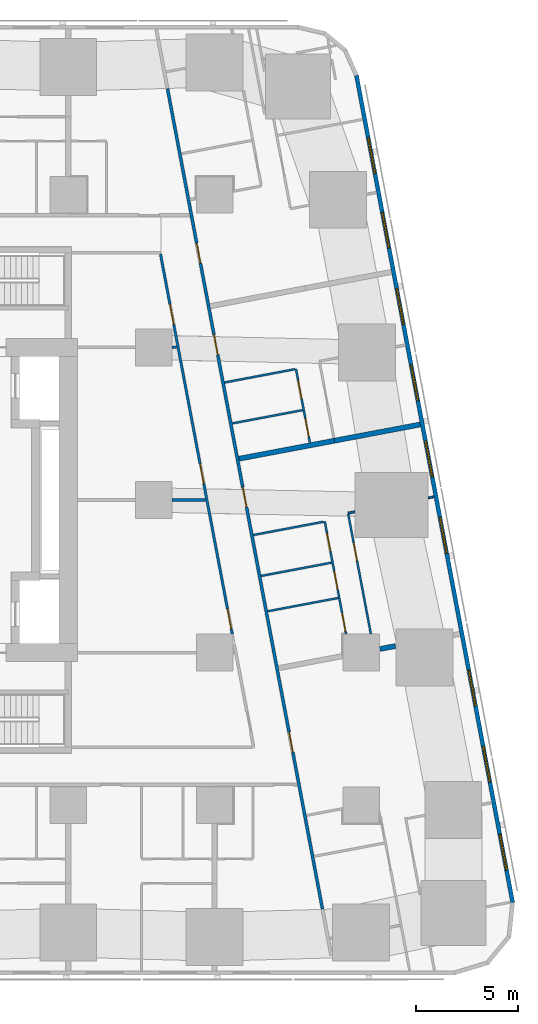
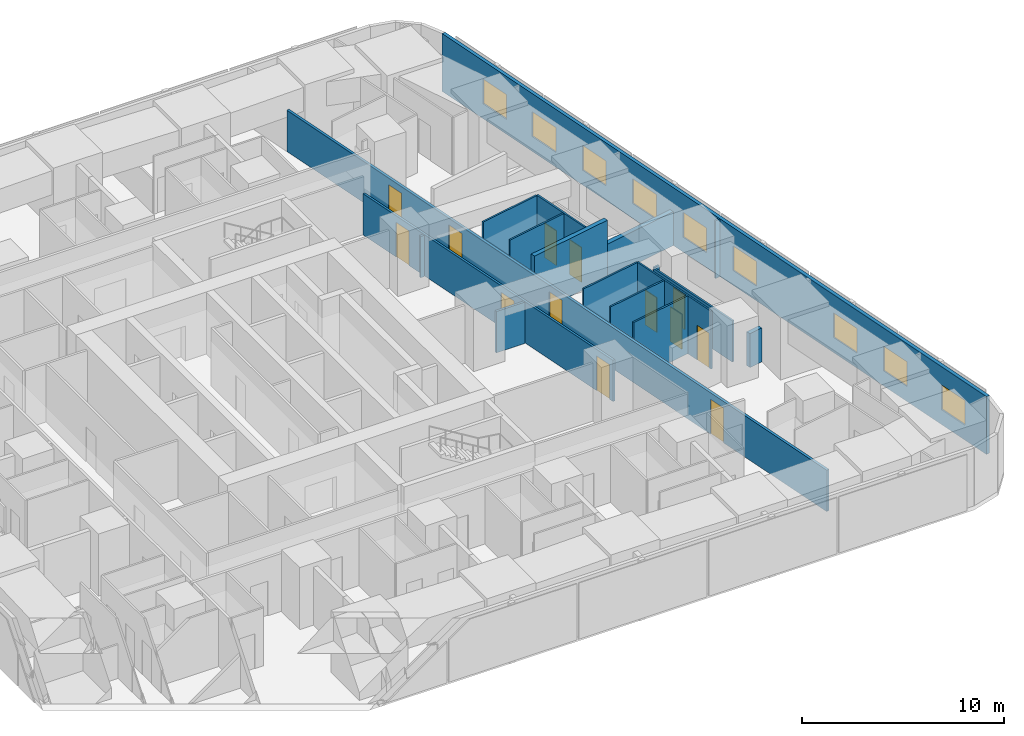
# One storey, part 7 of 15: 18 walls, 13 doors, 9 windows, 22 openings.
"""IFC4 building model written with IfcOpenShell, lengths in metres."""

from ifc_helpers import new_model, si_unit, direction, frame, frame_2d, origin, place, context, subcontext, project, spatial, rectangle, extrude, material, layer, layer_set, type_object, element, fill, save


model = new_model("IFC4")

# Units and contexts
model_context = context("Model", 3, precision=1e-05, world=origin(), true_north=direction((0.0, 1.0)))
body_context = subcontext(model_context, "Body", "Model", "MODEL_VIEW")
ifc_project = project(units=[si_unit("LENGTHUNIT", "METRE"), si_unit("AREAUNIT", "SQUARE_METRE"), si_unit("VOLUMEUNIT", "CUBIC_METRE"), si_unit("PLANEANGLEUNIT", "RADIAN"), si_unit("MASSUNIT", "GRAM", prefix="KILO")], contexts=[model_context])

# Site, building, storey
site_placement = place(None, origin())
site = spatial("IfcSite", under=ifc_project, at=site_placement, CompositionType="ELEMENT")
building_placement = place(site_placement, origin())
building = spatial("IfcBuilding", under=site, at=building_placement, Name="Sheger Commons Tower", CompositionType="ELEMENT")
storey_placement = place(building_placement, frame((0.0, 0.0, 42.5)))
storey = spatial("IfcBuildingStorey", under=building, at=storey_placement, Name="L10", CompositionType="ELEMENT", Elevation=42.5)

# Wall, openings, doors
ifc_material_1 = material(Name="Hollow concrete block masonry, skimmed both sides", Category="masonry")
ifc_layer_1 = layer(ifc_material_1, 0.14990234375)
ifc_layer_set_1 = layer_set([ifc_layer_1], Name="CORRIDOR WALL 150")
wall_type_1 = type_object("IfcWallType", Name="CORRIDOR WALL 150", PredefinedType="SOLIDWALL", material=ifc_layer_set_1)
wall_1_placement = place(storey_placement, frame((33.679931640625, 42.722900390625, 0.0), z_axis=(0.0, 0.0, 1.0), x_axis=(0.185624129307, -0.98262082342, 0.0)))
wall_1 = element("IfcWall", 1, at=wall_1_placement, inside=storey, type_object=wall_type_1, Name="Corridor wall L10", PredefinedType="SOLIDWALL", context=body_context, shape_type="SweptSolid", body=[
    extrude(rectangle(XDim=41.05126953125, YDim=0.14990234375, at=frame_2d((20.525634765625, 0.0))), origin(), (0.0, 0.0, 1.0), 2.5),
])
opening_1_placement = place(wall_1_placement, frame((7.72998046875, 0.0, 0.0)))
opening_1 = element("IfcOpeningElement", 2, at=opening_1_placement, cuts=wall_1, Name="Opening D1", PredefinedType="OPENING", context=body_context, shape_type="SweptSolid", body=[
    extrude(rectangle(XDim=1.0, YDim=2.10009765625, at=frame_2d((0.5, 1.050048828125))), frame((0.0, 0.0849609375, 0.0), z_axis=(0.0, -1.0, 0.0), x_axis=(1.0, 0.0, 0.0)), (0.0, 0.0, 1.0), 0.169921875),
])
opening_2_placement = place(wall_1_placement, frame((12.306884765625, 0.0, 0.0)))
opening_2 = element("IfcOpeningElement", 3, at=opening_2_placement, cuts=wall_1, Name="Opening D1", PredefinedType="OPENING", context=body_context, shape_type="SweptSolid", body=[
    extrude(rectangle(XDim=1.0, YDim=2.10009765625, at=frame_2d((0.5, 1.050048828125))), frame((0.0, 0.0849609375, 0.0), z_axis=(0.0, -1.0, 0.0), x_axis=(1.0, 0.0, 0.0)), (0.0, 0.0, 1.0), 0.169921875),
])
opening_3_placement = place(wall_1_placement, frame((19.93798828125, 0.0, 0.0)))
opening_3 = element("IfcOpeningElement", 4, at=opening_3_placement, cuts=wall_1, Name="Opening D1", PredefinedType="OPENING", context=body_context, shape_type="SweptSolid", body=[
    extrude(rectangle(XDim=1.0, YDim=2.10009765625, at=frame_2d((0.5, 1.050048828125))), frame((0.0, 0.0849609375, 0.0), z_axis=(0.0, -1.0, 0.0), x_axis=(1.0, 0.0, 0.0)), (0.0, 0.0, 1.0), 0.169921875),
])
opening_4_placement = place(wall_1_placement, frame((32.193115234375, 0.0, 0.0)))
opening_4 = element("IfcOpeningElement", 5, at=opening_4_placement, cuts=wall_1, Name="Opening D1", PredefinedType="OPENING", context=body_context, shape_type="SweptSolid", body=[
    extrude(rectangle(XDim=1.0, YDim=2.10009765625, at=frame_2d((0.5, 1.050048828125))), frame((0.0, 0.0849609375, 0.0), z_axis=(0.0, -1.0, 0.0), x_axis=(1.0, 0.0, 0.0)), (0.0, 0.0, 1.0), 0.169921875),
])
ifc_material_2 = material(Name="Steel door set, fire rated", Category="steel")
door_type_1 = type_object("IfcDoorType", Name="FLAT ENTRANCE DOOR 1000x2100", OperationType="NOTDEFINED", PredefinedType="DOOR", material=ifc_material_2)
door_1_placement = place(opening_1_placement, origin())
door_1 = element("IfcDoor", 6, at=door_1_placement, inside=storey, type_object=door_type_1, Name="Flat entrance door", OperationType="SINGLE_SWING_RIGHT", OverallHeight=2.10009765625, OverallWidth=1.0, PredefinedType="DOOR", context=body_context, shape_type="SweptSolid", body=[
    extrude(rectangle(XDim=1.0, YDim=2.10009765625, at=frame_2d((0.5, 1.050048828125))), frame((0.0, 0.02490234375, 0.0), z_axis=(0.0, -1.0, 0.0), x_axis=(1.0, 0.0, 0.0)), (0.0, 0.0, 1.0), 0.050048828125),
])
fill(opening_1, door_1)
door_2_placement = place(opening_2_placement, origin())
door_2 = element("IfcDoor", 7, at=door_2_placement, inside=storey, type_object=door_type_1, Name="Flat entrance door", OperationType="SINGLE_SWING_RIGHT", OverallHeight=2.10009765625, OverallWidth=1.0, PredefinedType="DOOR", context=body_context, shape_type="SweptSolid", body=[
    extrude(rectangle(XDim=1.0, YDim=2.10009765625, at=frame_2d((0.5, 1.050048828125))), frame((0.0, 0.02490234375, 0.0), z_axis=(0.0, -1.0, 0.0), x_axis=(1.0, 0.0, 0.0)), (0.0, 0.0, 1.0), 0.050048828125),
])
fill(opening_2, door_2)
door_3_placement = place(opening_3_placement, origin())
door_3 = element("IfcDoor", 8, at=door_3_placement, inside=storey, type_object=door_type_1, Name="Flat entrance door", OperationType="SINGLE_SWING_LEFT", OverallHeight=2.10009765625, OverallWidth=1.0, PredefinedType="DOOR", context=body_context, shape_type="SweptSolid", body=[
    extrude(rectangle(XDim=1.0, YDim=2.10009765625, at=frame_2d((0.5, 1.050048828125))), frame((0.0, 0.02490234375, 0.0), z_axis=(0.0, -1.0, 0.0), x_axis=(1.0, 0.0, 0.0)), (0.0, 0.0, 1.0), 0.050048828125),
])
fill(opening_3, door_3)
door_4_placement = place(opening_4_placement, origin())
door_4 = element("IfcDoor", 9, at=door_4_placement, inside=storey, type_object=door_type_1, Name="Flat entrance door", OperationType="SINGLE_SWING_RIGHT", OverallHeight=2.10009765625, OverallWidth=1.0, PredefinedType="DOOR", context=body_context, shape_type="SweptSolid", body=[
    extrude(rectangle(XDim=1.0, YDim=2.10009765625, at=frame_2d((0.5, 1.050048828125))), frame((0.0, 0.02490234375, 0.0), z_axis=(0.0, -1.0, 0.0), x_axis=(1.0, 0.0, 0.0)), (0.0, 0.0, 1.0), 0.050048828125),
])
fill(opening_4, door_4)

# Walls
ifc_material_3 = material(Name="Dense concrete block masonry, plastered both sides (separating wall between flats)", Category="masonry")
ifc_layer_2 = layer(ifc_material_3, 0.25)
ifc_layer_set_2 = layer_set([ifc_layer_2], Name="DEMISING WALL 250")
wall_type_2 = type_object("IfcWallType", Name="DEMISING WALL 250", PredefinedType="SOLIDWALL", material=ifc_layer_set_2)
wall_2_placement = place(storey_placement, frame((46.110107421875, 26.212890625, 0.0), z_axis=(0.0, 0.0, 1.0), x_axis=(-0.982633535512, -0.185556823879, 0.0)))
element("IfcWall", 10, at=wall_2_placement, inside=storey, type_object=wall_type_2, Name="Demising wall L10", PredefinedType="SOLIDWALL", context=body_context, shape_type="SweptSolid", body=[
    extrude(rectangle(XDim=4.2998046875, YDim=0.25, at=frame_2d((2.14990234375, 0.0))), origin(), (0.0, 0.0, 1.0), 2.050048828125),
])
wall_3_placement = place(storey_placement, frame((41.885009765625, 25.4150390625, 0.0), z_axis=(0.0, 0.0, 1.0), x_axis=(-0.982596737686, -0.185751584349, 0.0)))
element("IfcWall", 11, at=wall_3_placement, inside=storey, type_object=wall_type_2, Name="Demising wall L10", PredefinedType="SOLIDWALL", context=body_context, shape_type="SweptSolid", body=[
    extrude(rectangle(XDim=4.77490234375, YDim=0.25, at=frame_2d((2.387451171875, 0.0))), origin(), (0.0, 0.0, 1.0), 3.5),
])
wall_4_placement = place(storey_placement, frame((44.889892578125, 15.319091796875, 0.0), z_axis=(0.0, 0.0, 1.0), x_axis=(-0.982540856152, -0.186046945666, 0.0)))
element("IfcWall", 12, at=wall_4_placement, inside=storey, type_object=wall_type_2, Name="Demising wall L10", PredefinedType="SOLIDWALL", context=body_context, shape_type="SweptSolid", body=[
    extrude(rectangle(XDim=0.779541015625, YDim=0.25, at=frame_2d((0.3896484375, 0.0))), origin(), (0.0, 0.0, 1.0), 2.050048828125),
])

# Wall, openings, windows
ifc_material_4 = material(Name="Rendered concrete block masonry, dark grey", Category="masonry")
ifc_layer_3 = layer(ifc_material_4, 0.199951171875)
ifc_layer_set_3 = layer_set([ifc_layer_3], Name="FACADE WALL 200")
wall_type_3 = type_object("IfcWallType", Name="FACADE WALL 200", PredefinedType="SOLIDWALL", material=ifc_layer_set_3)
wall_5_placement = place(storey_placement, frame((50.653076171875, 2.702880859375, 0.0), z_axis=(0.0, 0.0, 1.0), x_axis=(-0.185612026696, 0.982623109613, 0.0)))
wall_5 = element("IfcWall", 13, at=wall_5_placement, inside=storey, type_object=wall_type_3, Name="Facade wall L10", PredefinedType="SOLIDWALL", context=body_context, shape_type="SweptSolid", body=[
    extrude(rectangle(XDim=41.393310546875, YDim=0.199951171875, at=frame_2d((20.69677734375, 0.0))), origin(), (0.0, 0.0, 1.0), 3.5),
])
opening_5_placement = place(wall_5_placement, frame((1.633056640625, 0.0, 0.89990234375)))
opening_5 = element("IfcOpeningElement", 14, at=opening_5_placement, cuts=wall_5, Name="Opening W2", PredefinedType="OPENING", context=body_context, shape_type="SweptSolid", body=[
    extrude(rectangle(XDim=1.800048828125, YDim=1.5, at=frame_2d((0.89990234375, 0.75))), frame((0.0, 0.10986328125, 0.0), z_axis=(0.0, -1.0, 0.0), x_axis=(1.0, 0.0, 0.0)), (0.0, 0.0, 1.0), 0.219970703125),
])
opening_6_placement = place(wall_5_placement, frame((6.031982421875, 0.0, 0.89990234375)))
opening_6 = element("IfcOpeningElement", 15, at=opening_6_placement, cuts=wall_5, Name="Opening W2", PredefinedType="OPENING", context=body_context, shape_type="SweptSolid", body=[
    extrude(rectangle(XDim=1.800048828125, YDim=1.5, at=frame_2d((0.89990234375, 0.75))), frame((0.0, 0.10986328125, 0.0), z_axis=(0.0, -1.0, 0.0), x_axis=(1.0, 0.0, 0.0)), (0.0, 0.0, 1.0), 0.219970703125),
])
opening_7_placement = place(wall_5_placement, frame((9.847900390625, 0.0, 0.89990234375)))
opening_7 = element("IfcOpeningElement", 16, at=opening_7_placement, cuts=wall_5, Name="Opening W2", PredefinedType="OPENING", context=body_context, shape_type="SweptSolid", body=[
    extrude(rectangle(XDim=1.800048828125, YDim=1.5, at=frame_2d((0.89990234375, 0.75))), frame((0.0, 0.10986328125, 0.0), z_axis=(0.0, -1.0, 0.0), x_axis=(1.0, 0.0, 0.0)), (0.0, 0.0, 1.0), 0.219970703125),
])
opening_8_placement = place(wall_5_placement, frame((17.48095703125, 0.0, 0.89990234375)))
opening_8 = element("IfcOpeningElement", 17, at=opening_8_placement, cuts=wall_5, Name="Opening W2", PredefinedType="OPENING", context=body_context, shape_type="SweptSolid", body=[
    extrude(rectangle(XDim=1.800048828125, YDim=1.5, at=frame_2d((0.89990234375, 0.75))), frame((0.0, 0.10986328125, 0.0), z_axis=(0.0, -1.0, 0.0), x_axis=(1.0, 0.0, 0.0)), (0.0, 0.0, 1.0), 0.219970703125),
])
opening_9_placement = place(wall_5_placement, frame((21.297119140625, 0.0, 0.89990234375)))
opening_9 = element("IfcOpeningElement", 18, at=opening_9_placement, cuts=wall_5, Name="Opening W2", PredefinedType="OPENING", context=body_context, shape_type="SweptSolid", body=[
    extrude(rectangle(XDim=1.800048828125, YDim=1.5, at=frame_2d((0.89990234375, 0.75))), frame((0.0, 0.10986328125, 0.0), z_axis=(0.0, -1.0, 0.0), x_axis=(1.0, 0.0, 0.0)), (0.0, 0.0, 1.0), 0.219970703125),
])
opening_10_placement = place(wall_5_placement, frame((25.113037109375, 0.0, 0.89990234375)))
opening_10 = element("IfcOpeningElement", 19, at=opening_10_placement, cuts=wall_5, Name="Opening W2", PredefinedType="OPENING", context=body_context, shape_type="SweptSolid", body=[
    extrude(rectangle(XDim=1.800048828125, YDim=1.5, at=frame_2d((0.89990234375, 0.75))), frame((0.0, 0.10986328125, 0.0), z_axis=(0.0, -1.0, 0.0), x_axis=(1.0, 0.0, 0.0)), (0.0, 0.0, 1.0), 0.219970703125),
])
opening_11_placement = place(wall_5_placement, frame((28.929931640625, 0.0, 0.89990234375)))
opening_11 = element("IfcOpeningElement", 20, at=opening_11_placement, cuts=wall_5, Name="Opening W2", PredefinedType="OPENING", context=body_context, shape_type="SweptSolid", body=[
    extrude(rectangle(XDim=1.800048828125, YDim=1.5, at=frame_2d((0.89990234375, 0.75))), frame((0.0, 0.10986328125, 0.0), z_axis=(0.0, -1.0, 0.0), x_axis=(1.0, 0.0, 0.0)), (0.0, 0.0, 1.0), 0.219970703125),
])
opening_12_placement = place(wall_5_placement, frame((32.74609375, 0.0, 0.89990234375)))
opening_12 = element("IfcOpeningElement", 21, at=opening_12_placement, cuts=wall_5, Name="Opening W2", PredefinedType="OPENING", context=body_context, shape_type="SweptSolid", body=[
    extrude(rectangle(XDim=1.800048828125, YDim=1.5, at=frame_2d((0.89990234375, 0.75))), frame((0.0, 0.10986328125, 0.0), z_axis=(0.0, -1.0, 0.0), x_axis=(1.0, 0.0, 0.0)), (0.0, 0.0, 1.0), 0.219970703125),
])
opening_13_placement = place(wall_5_placement, frame((36.48095703125, 0.0, 0.89990234375)))
opening_13 = element("IfcOpeningElement", 22, at=opening_13_placement, cuts=wall_5, Name="Opening W2", PredefinedType="OPENING", context=body_context, shape_type="SweptSolid", body=[
    extrude(rectangle(XDim=1.800048828125, YDim=1.5, at=frame_2d((0.89990234375, 0.75))), frame((0.0, 0.10986328125, 0.0), z_axis=(0.0, -1.0, 0.0), x_axis=(1.0, 0.0, 0.0)), (0.0, 0.0, 1.0), 0.219970703125),
])
ifc_material_5 = material(Name="Black aluminium frame, dark tinted double glazing", Category="aluminium")
window_type = type_object("IfcWindowType", Name="WINDOW W2 1800x1500", PartitioningType="SINGLE_PANEL", PredefinedType="WINDOW", material=ifc_material_5)
window_1_placement = place(opening_5_placement, origin())
window_1 = element("IfcWindow", 23, at=window_1_placement, inside=storey, type_object=window_type, Name="Window W2 1800X1500", OverallHeight=1.5, OverallWidth=1.800048828125, PartitioningType="SINGLE_PANEL", PredefinedType="WINDOW", context=body_context, shape_type="SweptSolid", body=[
    extrude(rectangle(XDim=1.800048828125, YDim=1.5, at=frame_2d((0.89990234375, 0.75))), frame((0.0, 0.030029296875, 0.0), z_axis=(0.0, -1.0, 0.0), x_axis=(1.0, 0.0, 0.0)), (0.0, 0.0, 1.0), 0.06005859375),
])
fill(opening_5, window_1)
window_2_placement = place(opening_6_placement, origin())
window_2 = element("IfcWindow", 24, at=window_2_placement, inside=storey, type_object=window_type, Name="Window W2 1800X1500", OverallHeight=1.5, OverallWidth=1.800048828125, PartitioningType="SINGLE_PANEL", PredefinedType="WINDOW", context=body_context, shape_type="SweptSolid", body=[
    extrude(rectangle(XDim=1.800048828125, YDim=1.5, at=frame_2d((0.89990234375, 0.75))), frame((0.0, 0.030029296875, 0.0), z_axis=(0.0, -1.0, 0.0), x_axis=(1.0, 0.0, 0.0)), (0.0, 0.0, 1.0), 0.06005859375),
])
fill(opening_6, window_2)
window_3_placement = place(opening_7_placement, origin())
window_3 = element("IfcWindow", 25, at=window_3_placement, inside=storey, type_object=window_type, Name="Window W2 1800X1500", OverallHeight=1.5, OverallWidth=1.800048828125, PartitioningType="SINGLE_PANEL", PredefinedType="WINDOW", context=body_context, shape_type="SweptSolid", body=[
    extrude(rectangle(XDim=1.800048828125, YDim=1.5, at=frame_2d((0.89990234375, 0.75))), frame((0.0, 0.030029296875, 0.0), z_axis=(0.0, -1.0, 0.0), x_axis=(1.0, 0.0, 0.0)), (0.0, 0.0, 1.0), 0.06005859375),
])
fill(opening_7, window_3)
window_4_placement = place(opening_8_placement, origin())
window_4 = element("IfcWindow", 26, at=window_4_placement, inside=storey, type_object=window_type, Name="Window W2 1800X1500", OverallHeight=1.5, OverallWidth=1.800048828125, PartitioningType="SINGLE_PANEL", PredefinedType="WINDOW", context=body_context, shape_type="SweptSolid", body=[
    extrude(rectangle(XDim=1.800048828125, YDim=1.5, at=frame_2d((0.89990234375, 0.75))), frame((0.0, 0.030029296875, 0.0), z_axis=(0.0, -1.0, 0.0), x_axis=(1.0, 0.0, 0.0)), (0.0, 0.0, 1.0), 0.06005859375),
])
fill(opening_8, window_4)
window_5_placement = place(opening_9_placement, origin())
window_5 = element("IfcWindow", 27, at=window_5_placement, inside=storey, type_object=window_type, Name="Window W2 1800X1500", OverallHeight=1.5, OverallWidth=1.800048828125, PartitioningType="SINGLE_PANEL", PredefinedType="WINDOW", context=body_context, shape_type="SweptSolid", body=[
    extrude(rectangle(XDim=1.800048828125, YDim=1.5, at=frame_2d((0.89990234375, 0.75))), frame((0.0, 0.030029296875, 0.0), z_axis=(0.0, -1.0, 0.0), x_axis=(1.0, 0.0, 0.0)), (0.0, 0.0, 1.0), 0.06005859375),
])
fill(opening_9, window_5)
window_6_placement = place(opening_10_placement, origin())
window_6 = element("IfcWindow", 28, at=window_6_placement, inside=storey, type_object=window_type, Name="Window W2 1800X1500", OverallHeight=1.5, OverallWidth=1.800048828125, PartitioningType="SINGLE_PANEL", PredefinedType="WINDOW", context=body_context, shape_type="SweptSolid", body=[
    extrude(rectangle(XDim=1.800048828125, YDim=1.5, at=frame_2d((0.89990234375, 0.75))), frame((0.0, 0.030029296875, 0.0), z_axis=(0.0, -1.0, 0.0), x_axis=(1.0, 0.0, 0.0)), (0.0, 0.0, 1.0), 0.06005859375),
])
fill(opening_10, window_6)
window_7_placement = place(opening_11_placement, origin())
window_7 = element("IfcWindow", 29, at=window_7_placement, inside=storey, type_object=window_type, Name="Window W2 1800X1500", OverallHeight=1.5, OverallWidth=1.800048828125, PartitioningType="SINGLE_PANEL", PredefinedType="WINDOW", context=body_context, shape_type="SweptSolid", body=[
    extrude(rectangle(XDim=1.800048828125, YDim=1.5, at=frame_2d((0.89990234375, 0.75))), frame((0.0, 0.030029296875, 0.0), z_axis=(0.0, -1.0, 0.0), x_axis=(1.0, 0.0, 0.0)), (0.0, 0.0, 1.0), 0.06005859375),
])
fill(opening_11, window_7)
window_8_placement = place(opening_12_placement, origin())
window_8 = element("IfcWindow", 30, at=window_8_placement, inside=storey, type_object=window_type, Name="Window W2 1800X1500", OverallHeight=1.5, OverallWidth=1.800048828125, PartitioningType="SINGLE_PANEL", PredefinedType="WINDOW", context=body_context, shape_type="SweptSolid", body=[
    extrude(rectangle(XDim=1.800048828125, YDim=1.5, at=frame_2d((0.89990234375, 0.75))), frame((0.0, 0.030029296875, 0.0), z_axis=(0.0, -1.0, 0.0), x_axis=(1.0, 0.0, 0.0)), (0.0, 0.0, 1.0), 0.06005859375),
])
fill(opening_12, window_8)
window_9_placement = place(opening_13_placement, origin())
window_9 = element("IfcWindow", 31, at=window_9_placement, inside=storey, type_object=window_type, Name="Window W2 1800X1500", OverallHeight=1.5, OverallWidth=1.800048828125, PartitioningType="SINGLE_PANEL", PredefinedType="WINDOW", context=body_context, shape_type="SweptSolid", body=[
    extrude(rectangle(XDim=1.800048828125, YDim=1.5, at=frame_2d((0.89990234375, 0.75))), frame((0.0, 0.030029296875, 0.0), z_axis=(0.0, -1.0, 0.0), x_axis=(1.0, 0.0, 0.0)), (0.0, 0.0, 1.0), 0.06005859375),
])
fill(opening_13, window_9)

# Wall, openings, doors
ifc_material_6 = material(Name="Gypsum board on steel studs", Category="steel")
ifc_layer_4 = layer(ifc_material_6, 0.10009765625)
ifc_layer_set_4 = layer_set([ifc_layer_4], Name="PARTITION 100")
wall_type_4 = type_object("IfcWallType", Name="PARTITION 100", PredefinedType="PARTITIONING", material=ifc_layer_set_4)
wall_6_placement = place(storey_placement, frame((39.9970703125, 28.94189453125, 0.0), z_axis=(0.0, 0.0, 1.0), x_axis=(0.185580474845, -0.982629069057, 0.0)))
wall_6 = element("IfcWall", 32, at=wall_6_placement, inside=storey, type_object=wall_type_4, Name="Partition L10", PredefinedType="PARTITIONING", context=body_context, shape_type="SweptSolid", body=[
    extrude(rectangle(XDim=3.684814453125, YDim=0.10009765625, at=frame_2d((1.84228515625, 0.0))), origin(), (0.0, 0.0, 1.0), 3.5),
])
opening_14_placement = place(wall_6_placement, frame((0.575927734375, 0.0, 0.0)))
opening_14 = element("IfcOpeningElement", 33, at=opening_14_placement, cuts=wall_6, Name="Opening D2", PredefinedType="OPENING", context=body_context, shape_type="SweptSolid", body=[
    extrude(rectangle(XDim=0.89990234375, YDim=2.10009765625, at=frame_2d((0.449951171875, 1.050048828125))), frame((0.0, 0.06005859375, 0.0), z_axis=(0.0, -1.0, 0.0), x_axis=(1.0, 0.0, 0.0)), (0.0, 0.0, 1.0), 0.1201171875),
])
opening_15_placement = place(wall_6_placement, frame((2.48291015625, 0.0, 0.0)))
opening_15 = element("IfcOpeningElement", 34, at=opening_15_placement, cuts=wall_6, Name="Opening D2", PredefinedType="OPENING", context=body_context, shape_type="SweptSolid", body=[
    extrude(rectangle(XDim=0.89990234375, YDim=2.10009765625, at=frame_2d((0.449951171875, 1.050048828125))), frame((0.0, 0.06005859375, 0.0), z_axis=(0.0, -1.0, 0.0), x_axis=(1.0, 0.0, 0.0)), (0.0, 0.0, 1.0), 0.1201171875),
])
ifc_material_7 = material(Name="Timber door set", Category="wood")
door_type_2 = type_object("IfcDoorType", Name="INTERNAL DOOR 900x2100", OperationType="NOTDEFINED", PredefinedType="DOOR", material=ifc_material_7)
door_5_placement = place(opening_14_placement, origin())
door_5 = element("IfcDoor", 35, at=door_5_placement, inside=storey, type_object=door_type_2, Name="Bathroom door", OperationType="SINGLE_SWING_RIGHT", OverallHeight=2.10009765625, OverallWidth=0.89990234375, PredefinedType="DOOR", context=body_context, shape_type="SweptSolid", body=[
    extrude(rectangle(XDim=0.89990234375, YDim=2.10009765625, at=frame_2d((0.449951171875, 1.050048828125))), frame((0.0, 0.02490234375, 0.0), z_axis=(0.0, -1.0, 0.0), x_axis=(1.0, 0.0, 0.0)), (0.0, 0.0, 1.0), 0.050048828125),
])
fill(opening_14, door_5)
door_6_placement = place(opening_15_placement, origin())
door_6 = element("IfcDoor", 36, at=door_6_placement, inside=storey, type_object=door_type_2, Name="Store door", OperationType="SINGLE_SWING_LEFT", OverallHeight=2.10009765625, OverallWidth=0.89990234375, PredefinedType="DOOR", context=body_context, shape_type="SweptSolid", body=[
    extrude(rectangle(XDim=0.89990234375, YDim=2.10009765625, at=frame_2d((0.449951171875, 1.050048828125))), frame((0.0, 0.02490234375, 0.0), z_axis=(0.0, -1.0, 0.0), x_axis=(1.0, 0.0, 0.0)), (0.0, 0.0, 1.0), 0.050048828125),
])
fill(opening_15, door_6)

# Walls
wall_7_placement = place(storey_placement, frame((39.947998046875, 28.93310546875, 0.0), z_axis=(0.0, 0.0, 1.0), x_axis=(-0.982576058723, -0.185860939478, 0.0)))
element("IfcWall", 37, at=wall_7_placement, inside=storey, type_object=wall_type_4, Name="Partition L10", PredefinedType="PARTITIONING", context=body_context, shape_type="SweptSolid", body=[
    extrude(rectangle(XDim=3.5244140625, YDim=0.10009765625, at=frame_2d((1.76220703125, 0.0))), origin(), (0.0, 0.0, 1.0), 3.5),
])
wall_8_placement = place(storey_placement, frame((40.3291015625, 26.91796875, 0.0), z_axis=(0.0, 0.0, 1.0), x_axis=(-0.982638553676, -0.185530247748, 0.0)))
element("IfcWall", 38, at=wall_8_placement, inside=storey, type_object=wall_type_4, Name="Partition L10", PredefinedType="PARTITIONING", context=body_context, shape_type="SweptSolid", body=[
    extrude(rectangle(XDim=3.525390625, YDim=0.10009765625, at=frame_2d((1.7626953125, 0.0))), origin(), (0.0, 0.0, 1.0), 3.5),
])

# Wall, opening, door
wall_9_placement = place(storey_placement, frame((42.56494140625, 21.80908203125, 0.0), z_axis=(0.0, 0.0, 1.0), x_axis=(0.185719768524, -0.982602751665, 0.0)))
wall_9 = element("IfcWall", 39, at=wall_9_placement, inside=storey, type_object=wall_type_4, Name="Partition L10", PredefinedType="PARTITIONING", context=body_context, shape_type="SweptSolid", body=[
    extrude(rectangle(XDim=6.003662109375, YDim=0.10009765625, at=frame_2d((3.001953125, 0.0))), origin(), (0.0, 0.0, 1.0), 2.5),
])
opening_16_placement = place(wall_9_placement, frame((1.449951171875, 0.0, 0.0)))
opening_16 = element("IfcOpeningElement", 40, at=opening_16_placement, cuts=wall_9, Name="Opening D2", PredefinedType="OPENING", context=body_context, shape_type="SweptSolid", body=[
    extrude(rectangle(XDim=0.89990234375, YDim=2.10009765625, at=frame_2d((0.449951171875, 1.050048828125))), frame((0.0, 0.06005859375, 0.0), z_axis=(0.0, -1.0, 0.0), x_axis=(1.0, 0.0, 0.0)), (0.0, 0.0, 1.0), 0.1201171875),
])
door_7_placement = place(opening_16_placement, origin())
door_7 = element("IfcDoor", 41, at=door_7_placement, inside=storey, type_object=door_type_2, Name="Main bedroom door", OperationType="SINGLE_SWING_RIGHT", OverallHeight=2.10009765625, OverallWidth=0.89990234375, PredefinedType="DOOR", context=body_context, shape_type="SweptSolid", body=[
    extrude(rectangle(XDim=0.89990234375, YDim=2.10009765625, at=frame_2d((0.449951171875, 1.050048828125))), frame((0.0, 0.02490234375, 0.0), z_axis=(0.0, -1.0, 0.0), x_axis=(1.0, 0.0, 0.0)), (0.0, 0.0, 1.0), 0.050048828125),
])
fill(opening_16, door_7)

# Wall, openings, doors
wall_10_placement = place(storey_placement, frame((41.4140625, 21.44189453125, 0.0), z_axis=(0.0, 0.0, 1.0), x_axis=(0.185605379031, -0.982624365297, 0.0)))
wall_10 = element("IfcWall", 42, at=wall_10_placement, inside=storey, type_object=wall_type_4, Name="Partition L10", PredefinedType="PARTITIONING", context=body_context, shape_type="SweptSolid", body=[
    extrude(rectangle(XDim=5.6298828125, YDim=0.10009765625, at=frame_2d((2.81494140625, 0.0))), origin(), (0.0, 0.0, 1.0), 3.5),
])
opening_17_placement = place(wall_10_placement, frame((0.574951171875, 0.0, 0.0)))
opening_17 = element("IfcOpeningElement", 43, at=opening_17_placement, cuts=wall_10, Name="Opening D2", PredefinedType="OPENING", context=body_context, shape_type="SweptSolid", body=[
    extrude(rectangle(XDim=0.89990234375, YDim=2.10009765625, at=frame_2d((0.449951171875, 1.050048828125))), frame((0.0, 0.06005859375, 0.0), z_axis=(0.0, -1.0, 0.0), x_axis=(1.0, 0.0, 0.0)), (0.0, 0.0, 1.0), 0.1201171875),
])
opening_18_placement = place(wall_10_placement, frame((4.580078125, 0.0, 0.0)))
opening_18 = element("IfcOpeningElement", 44, at=opening_18_placement, cuts=wall_10, Name="Opening D2", PredefinedType="OPENING", context=body_context, shape_type="SweptSolid", body=[
    extrude(rectangle(XDim=0.89990234375, YDim=2.10009765625, at=frame_2d((0.449951171875, 1.050048828125))), frame((0.0, 0.06005859375, 0.0), z_axis=(0.0, -1.0, 0.0), x_axis=(1.0, 0.0, 0.0)), (0.0, 0.0, 1.0), 0.1201171875),
])
opening_19_placement = place(wall_10_placement, frame((2.48291015625, 0.0, 0.0)))
opening_19 = element("IfcOpeningElement", 45, at=opening_19_placement, cuts=wall_10, Name="Opening D2", PredefinedType="OPENING", context=body_context, shape_type="SweptSolid", body=[
    extrude(rectangle(XDim=0.89990234375, YDim=2.10009765625, at=frame_2d((0.449951171875, 1.050048828125))), frame((0.0, 0.06005859375, 0.0), z_axis=(0.0, -1.0, 0.0), x_axis=(1.0, 0.0, 0.0)), (0.0, 0.0, 1.0), 0.1201171875),
])
door_8_placement = place(opening_17_placement, origin())
door_8 = element("IfcDoor", 46, at=door_8_placement, inside=storey, type_object=door_type_2, Name="Bathroom door", OperationType="SINGLE_SWING_RIGHT", OverallHeight=2.10009765625, OverallWidth=0.89990234375, PredefinedType="DOOR", context=body_context, shape_type="SweptSolid", body=[
    extrude(rectangle(XDim=0.89990234375, YDim=2.10009765625, at=frame_2d((0.449951171875, 1.050048828125))), frame((0.0, 0.02490234375, 0.0), z_axis=(0.0, -1.0, 0.0), x_axis=(1.0, 0.0, 0.0)), (0.0, 0.0, 1.0), 0.050048828125),
])
fill(opening_17, door_8)
door_9_placement = place(opening_18_placement, origin())
door_9 = element("IfcDoor", 47, at=door_9_placement, inside=storey, type_object=door_type_2, Name="Store and laundry door", OperationType="SINGLE_SWING_LEFT", OverallHeight=2.10009765625, OverallWidth=0.89990234375, PredefinedType="DOOR", context=body_context, shape_type="SweptSolid", body=[
    extrude(rectangle(XDim=0.89990234375, YDim=2.10009765625, at=frame_2d((0.449951171875, 1.050048828125))), frame((0.0, 0.02490234375, 0.0), z_axis=(0.0, -1.0, 0.0), x_axis=(1.0, 0.0, 0.0)), (0.0, 0.0, 1.0), 0.050048828125),
])
fill(opening_18, door_9)
door_10_placement = place(opening_19_placement, origin())
door_10 = element("IfcDoor", 48, at=door_10_placement, inside=storey, type_object=door_type_2, Name="Store door", OperationType="SINGLE_SWING_LEFT", OverallHeight=2.10009765625, OverallWidth=0.89990234375, PredefinedType="DOOR", context=body_context, shape_type="SweptSolid", body=[
    extrude(rectangle(XDim=0.89990234375, YDim=2.10009765625, at=frame_2d((0.449951171875, 1.050048828125))), frame((0.0, 0.02490234375, 0.0), z_axis=(0.0, -1.0, 0.0), x_axis=(1.0, 0.0, 0.0)), (0.0, 0.0, 1.0), 0.050048828125),
])
fill(opening_19, door_10)

# Walls
wall_11_placement = place(storey_placement, frame((46.781982421875, 22.656982421875, 0.0), z_axis=(0.0, 0.0, 1.0), x_axis=(-0.982574553168, -0.185868898601, 0.0)))
element("IfcWall", 49, at=wall_11_placement, inside=storey, type_object=wall_type_4, Name="Partition L10", PredefinedType="PARTITIONING", context=body_context, shape_type="SweptSolid", body=[
    extrude(rectangle(XDim=0.27978515625, YDim=0.10009765625, at=frame_2d((0.139892578125, 0.0))), origin(), (0.0, 0.0, 1.0), 3.5),
])
wall_12_placement = place(storey_placement, frame((42.886962890625, 21.9208984375, 0.0), z_axis=(0.0, 0.0, 1.0), x_axis=(-0.982274918032, -0.187445953293, 0.0)))
element("IfcWall", 50, at=wall_12_placement, inside=storey, type_object=wall_type_4, Name="Partition L10", PredefinedType="PARTITIONING", context=body_context, shape_type="SweptSolid", body=[
    extrude(rectangle(XDim=0.3359375, YDim=0.10009765625, at=frame_2d((0.16796875, 0.0))), origin(), (0.0, 0.0, 1.0), 2.5),
])
wall_13_placement = place(storey_placement, frame((41.364990234375, 21.43310546875, 0.0), z_axis=(0.0, 0.0, 1.0), x_axis=(-0.982638553676, -0.185530247748, 0.0)))
element("IfcWall", 51, at=wall_13_placement, inside=storey, type_object=wall_type_4, Name="Partition L10", PredefinedType="PARTITIONING", context=body_context, shape_type="SweptSolid", body=[
    extrude(rectangle(XDim=3.525390625, YDim=0.10009765625, at=frame_2d((1.7626953125, 0.0))), origin(), (0.0, 0.0, 1.0), 3.5),
])
wall_14_placement = place(storey_placement, frame((42.072998046875, 17.68310546875, 0.0), z_axis=(0.0, 0.0, 1.0), x_axis=(-0.982626628545, -0.185593396635, 0.0)))
element("IfcWall", 52, at=wall_14_placement, inside=storey, type_object=wall_type_4, Name="Partition L10", PredefinedType="PARTITIONING", context=body_context, shape_type="SweptSolid", body=[
    extrude(rectangle(XDim=3.524169921875, YDim=0.10009765625, at=frame_2d((1.76220703125, 0.0))), origin(), (0.0, 0.0, 1.0), 3.5),
])
wall_15_placement = place(storey_placement, frame((41.7451171875, 19.41796875, 0.0), z_axis=(0.0, 0.0, 1.0), x_axis=(-0.982629014545, -0.18558076348, 0.0)))
element("IfcWall", 53, at=wall_15_placement, inside=storey, type_object=wall_type_4, Name="Partition L10", PredefinedType="PARTITIONING", context=body_context, shape_type="SweptSolid", body=[
    extrude(rectangle(XDim=3.5244140625, YDim=0.10009765625, at=frame_2d((1.76220703125, 0.0))), origin(), (0.0, 0.0, 1.0), 3.5),
])

# Wall, openings, doors
ifc_material_8 = material(Name="Gypsum board on steel studs, two layers each side, fire rated", Category="steel")
ifc_layer_5 = layer(ifc_material_8, 0.125)
ifc_layer_set_5 = layer_set([ifc_layer_5], Name="SERVICE WALL 125")
wall_type_5 = type_object("IfcWallType", Name="SERVICE WALL 125", PredefinedType="PARTITIONING", material=ifc_layer_set_5)
wall_16_placement = place(storey_placement, frame((36.861083984375, 15.9130859375, 0.0), z_axis=(0.0, 0.0, 1.0), x_axis=(-0.185588307143, 0.982627589808, 0.0)))
wall_16 = element("IfcWall", 54, at=wall_16_placement, inside=storey, type_object=wall_type_5, Name="Service room wall L10", PredefinedType="PARTITIONING", context=body_context, shape_type="SweptSolid", body=[
    extrude(rectangle(XDim=19.0048828125, YDim=0.125, at=frame_2d((9.50244140625, 0.0))), origin(), (0.0, 0.0, 1.0), 2.5),
])
opening_20_placement = place(wall_16_placement, frame((0.25, 0.0, 0.0)))
opening_20 = element("IfcOpeningElement", 55, at=opening_20_placement, cuts=wall_16, Name="Opening D4", PredefinedType="OPENING", context=body_context, shape_type="SweptSolid", body=[
    extrude(rectangle(XDim=1.0, YDim=2.10009765625, at=frame_2d((0.5, 1.050048828125))), frame((0.0, 0.072509765625, 0.0), z_axis=(0.0, -1.0, 0.0), x_axis=(1.0, 0.0, 0.0)), (0.0, 0.0, 1.0), 0.14501953125),
])
opening_21_placement = place(wall_16_placement, frame((7.527099609375, 0.0, 0.0)))
opening_21 = element("IfcOpeningElement", 56, at=opening_21_placement, cuts=wall_16, Name="Opening D4", PredefinedType="OPENING", context=body_context, shape_type="SweptSolid", body=[
    extrude(rectangle(XDim=1.0, YDim=2.10009765625, at=frame_2d((0.5, 1.050048828125))), frame((0.0, 0.072509765625, 0.0), z_axis=(0.0, -1.0, 0.0), x_axis=(1.0, 0.0, 0.0)), (0.0, 0.0, 1.0), 0.14501953125),
])
opening_22_placement = place(wall_16_placement, frame((15.5, 0.0, 0.0)))
opening_22 = element("IfcOpeningElement", 57, at=opening_22_placement, cuts=wall_16, Name="Opening D4", PredefinedType="OPENING", context=body_context, shape_type="SweptSolid", body=[
    extrude(rectangle(XDim=1.0, YDim=2.10009765625, at=frame_2d((0.5, 1.050048828125))), frame((0.0, 0.072509765625, 0.0), z_axis=(0.0, -1.0, 0.0), x_axis=(1.0, 0.0, 0.0)), (0.0, 0.0, 1.0), 0.14501953125),
])
ifc_material_9 = material(Name="Steel door set, fire rated", Category="steel")
door_type_3 = type_object("IfcDoorType", Name="SERVICE DOOR 1000x2100", OperationType="NOTDEFINED", PredefinedType="DOOR", material=ifc_material_9)
door_11_placement = place(opening_20_placement, origin())
door_11 = element("IfcDoor", 58, at=door_11_placement, inside=storey, type_object=door_type_3, Name="Bicycle and pram store door", OperationType="SINGLE_SWING_LEFT", OverallHeight=2.10009765625, OverallWidth=1.0, PredefinedType="DOOR", context=body_context, shape_type="SweptSolid", body=[
    extrude(rectangle(XDim=1.0, YDim=2.10009765625, at=frame_2d((0.5, 1.050048828125))), frame((0.0, 0.02490234375, 0.0), z_axis=(0.0, -1.0, 0.0), x_axis=(1.0, 0.0, 0.0)), (0.0, 0.0, 1.0), 0.050048828125),
])
fill(opening_20, door_11)
door_12_placement = place(opening_21_placement, origin())
door_12 = element("IfcDoor", 59, at=door_12_placement, inside=storey, type_object=door_type_3, Name="Residents' store door", OperationType="SINGLE_SWING_LEFT", OverallHeight=2.10009765625, OverallWidth=1.0, PredefinedType="DOOR", context=body_context, shape_type="SweptSolid", body=[
    extrude(rectangle(XDim=1.0, YDim=2.10009765625, at=frame_2d((0.5, 1.050048828125))), frame((0.0, 0.02490234375, 0.0), z_axis=(0.0, -1.0, 0.0), x_axis=(1.0, 0.0, 0.0)), (0.0, 0.0, 1.0), 0.050048828125),
])
fill(opening_21, door_12)
door_13_placement = place(opening_22_placement, origin())
door_13 = element("IfcDoor", 60, at=door_13_placement, inside=storey, type_object=door_type_3, Name="Residents' meeting room door", OperationType="SINGLE_SWING_LEFT", OverallHeight=2.10009765625, OverallWidth=1.0, PredefinedType="DOOR", context=body_context, shape_type="SweptSolid", body=[
    extrude(rectangle(XDim=1.0, YDim=2.10009765625, at=frame_2d((0.5, 1.050048828125))), frame((0.0, 0.02490234375, 0.0), z_axis=(0.0, -1.0, 0.0), x_axis=(1.0, 0.0, 0.0)), (0.0, 0.0, 1.0), 0.050048828125),
])
fill(opening_22, door_13)

# Walls
wall_17_placement = place(storey_placement, frame((33.90087890625, 22.5, 0.0), z_axis=(0.0, 0.0, 1.0), x_axis=(1.0, 0.0, 0.0)))
element("IfcWall", 61, at=wall_17_placement, inside=storey, type_object=wall_type_5, Name="Service room wall L10", PredefinedType="PARTITIONING", context=body_context, shape_type="SweptSolid", body=[
    extrude(rectangle(XDim=1.64111328125, YDim=0.125, at=frame_2d((0.820556640625, 0.0))), origin(), (0.0, 0.0, 1.0), 2.5),
])
wall_18_placement = place(storey_placement, frame((33.90087890625, 30.0, 0.0), z_axis=(0.0, 0.0, 1.0), x_axis=(1.0, 0.0, 0.0)))
element("IfcWall", 62, at=wall_18_placement, inside=storey, type_object=wall_type_5, Name="Service room wall L10", PredefinedType="PARTITIONING", context=body_context, shape_type="SweptSolid", body=[
    extrude(rectangle(XDim=0.22412109375, YDim=0.125, at=frame_2d((0.112060546875, 0.0))), origin(), (0.0, 0.0, 1.0), 2.5),
])

save(model, "model.ifc")
